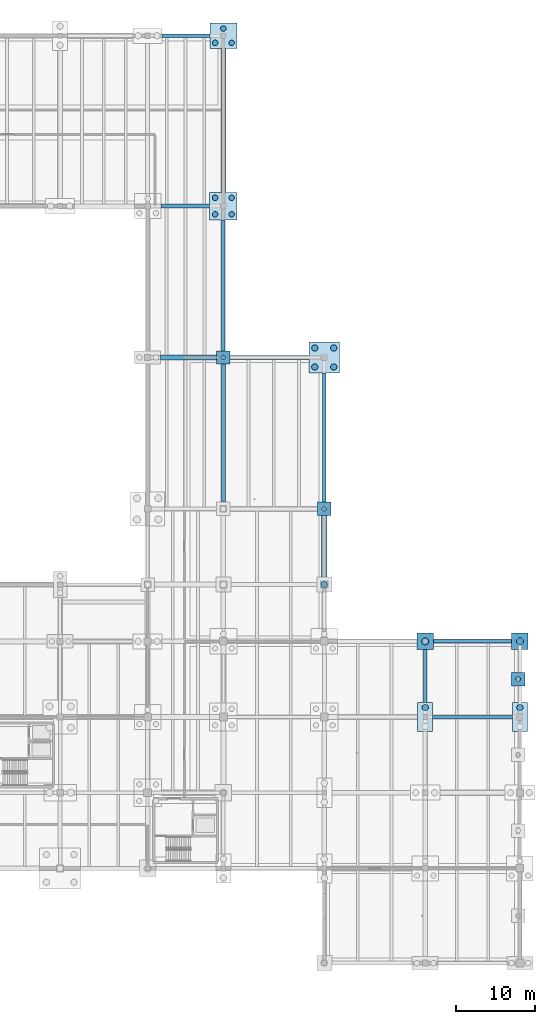
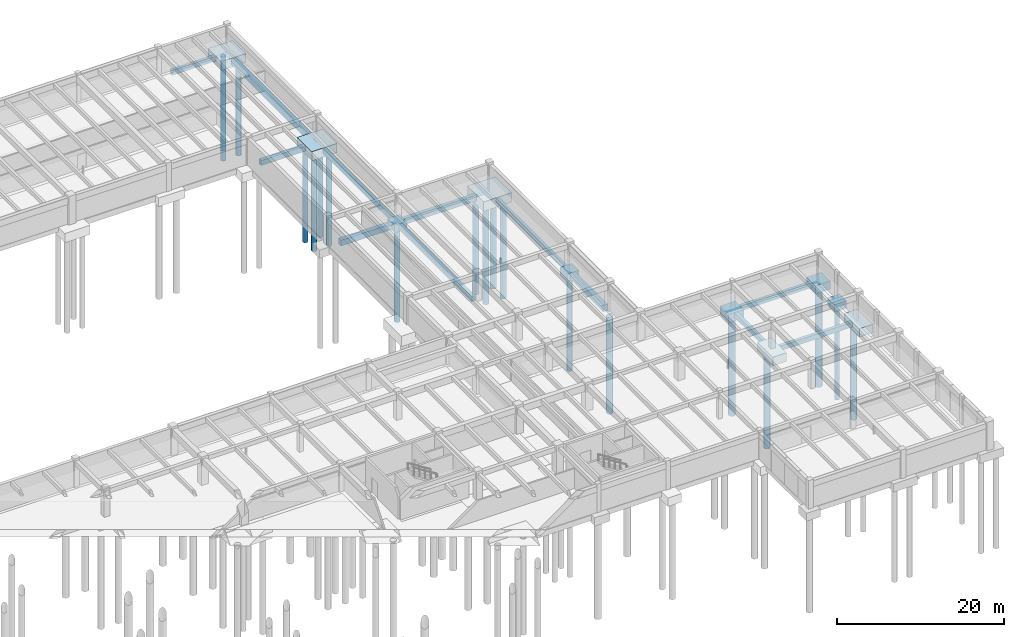
# One storey, part 6 of 41: 22 footings, 19 piles.
"""IFC4 building model written with IfcOpenShell, lengths in metres."""

from ifc_helpers import new_model, si_unit, direction, frame, origin, origin_2d, place, context, subcontext, project, spatial, rectangle, circle, extrude, material, material_profile, profile_set, type_object, element, save


model = new_model("IFC4")

# Units and contexts
model_context = context("Model", 3, precision=1e-05, world=origin(), true_north=direction((0.0, 1.0)))
body_context = subcontext(model_context, "Body", "Model", "MODEL_VIEW")
ifc_project = project(units=[si_unit("LENGTHUNIT", "METRE"), si_unit("AREAUNIT", "SQUARE_METRE"), si_unit("VOLUMEUNIT", "CUBIC_METRE"), si_unit("PLANEANGLEUNIT", "RADIAN"), si_unit("MASSUNIT", "GRAM", prefix="KILO")], contexts=[model_context])

# Site, building, storey
site_placement = place(None, origin())
site = spatial("IfcSite", under=ifc_project, at=site_placement, CompositionType="ELEMENT")
building_placement = place(site_placement, origin())
building = spatial("IfcBuilding", under=site, at=building_placement, Name="Fikremerkos Civic Library", CompositionType="ELEMENT")
storey_placement = place(building_placement, frame((0.0, 0.0, -8.39990234375)))
storey = spatial("IfcBuildingStorey", under=building, at=storey_placement, Name="B02", CompositionType="ELEMENT", Elevation=-8.39990234375)

# Piles
ifc_material_1 = material(Name="Concrete C35/45", Category="concrete")
ifc_material_profile_1 = material_profile(ifc_material_1, circle(Radius=0.300048828125, at=origin_2d()), Name="BORED PILE 600")
ifc_profile_set_1 = profile_set([ifc_material_profile_1], Name="Concrete C35/45")
pile_type_1 = type_object("IfcPileType", Name="Bored concrete pile PL-600 D600", PredefinedType="BORED", material=ifc_profile_set_1)
pile_placement = place(storey_placement, frame((171.780029296875, 36.0, -0.9501953125), z_axis=(0.0, 0.0, -1.0), x_axis=(1.0, 0.0, 0.0)))
element("IfcPile", 1, at=pile_placement, inside=storey, type_object=pile_type_1, Name="Bored pile PL-600 under CAP-PIL-E4", PredefinedType="BORED", context=body_context, shape_type="SweptSolid", body=[
    extrude(circle(Radius=0.300048828125, at=origin_2d()), origin(), (0.0, 0.0, 1.0), 13.60009765625),
])
ifc_material_profile_2 = material_profile(ifc_material_1, circle(Radius=0.35009765625, at=origin_2d()), Name="BORED PILE 700")
ifc_profile_set_2 = profile_set([ifc_material_profile_2], Name="Concrete C35/45")
pile_type_2 = type_object("IfcPileType", Name="Bored concrete pile PL-700 D700", PredefinedType="BORED", material=ifc_profile_set_2)
for number, where, z_axis, x_axis, name in (
    (2, (134.39990234375, 76.800048828125, -1.0), (0.0, 0.0, -1.0), (1.0, 0.0, 0.0), "Bored pile PL-700 under CAP-12-L #1"),
    (3, (133.35009765625, 94.949951171875, -1.25), (0.0, 0.0, -1.0), (1.0, 0.0, 0.0), "Bored pile PL-700 under CAP-12-M #1"),
    (4, (135.449951171875, 94.949951171875, -1.25), (0.0, 0.0, -1.0), (1.0, 0.0, 0.0), "Bored pile PL-700 under CAP-12-M #2"),
    (5, (133.35009765625, 97.050048828125, -1.25), (0.0, 0.0, -1.0), (1.0, 0.0, 0.0), "Bored pile PL-700 under CAP-12-M #3"),
    (6, (135.449951171875, 97.050048828125, -1.25), (0.0, 0.0, -1.0), (1.0, 0.0, 0.0), "Bored pile PL-700 under CAP-12-M #4"),
    (7, (133.35009765625, 116.699951171875, -1.2001953125), (0.0, 0.0, -1.0), (1.0, 0.0, 0.0), "Bored pile PL-700 under CAP-12-N #1"),
    (8, (135.449951171875, 116.699951171875, -1.2001953125), (0.0, 0.0, -1.0), (1.0, 0.0, 0.0), "Bored pile PL-700 under CAP-12-N #2"),
    (9, (134.39990234375, 118.52001953125, -1.2001953125), (0.0, 0.0, -1.0), (1.0, 0.0, 0.0), "Bored pile PL-700 under CAP-12-N #3"),
    (10, (147.199951171875, 57.60009765625, -1.0), (0.0, 0.0, -1.0), (1.0, 0.0, 0.0), "Bored pile PL-700 under CAP-13-K #1"),
):
    element("IfcPile", number, at=place(storey_placement, frame(where, z_axis=z_axis, x_axis=x_axis)), inside=storey, type_object=pile_type_2, Name=name, PredefinedType="BORED", context=body_context, shape_type="SweptSolid", body=[
        extrude(circle(Radius=0.35009765625, at=origin_2d()), origin(), (0.0, 0.0, 1.0), 13.800048828125),
    ])
ifc_material_profile_3 = material_profile(ifc_material_1, circle(Radius=0.39990234375, at=origin_2d()), Name="BORED PILE 800")
ifc_profile_set_3 = profile_set([ifc_material_profile_3], Name="Concrete C35/45")
pile_type_3 = type_object("IfcPileType", Name="Bored concrete pile PL-800 D800", PredefinedType="BORED", material=ifc_profile_set_3)
for number, where, z_axis, x_axis, name in (
    (11, (147.199951171875, 48.0, -1.050048828125), (0.0, 0.0, -1.0), (1.0, 0.0, 0.0), "Bored pile PL-800 under CAP-13-J #1"),
    (12, (146.0, 75.60009765625, -1.300048828125), (0.0, 0.0, -1.0), (1.0, 0.0, 0.0), "Bored pile PL-800 under CAP-13-L #1"),
    (13, (148.39990234375, 75.60009765625, -1.300048828125), (0.0, 0.0, -1.0), (1.0, 0.0, 0.0), "Bored pile PL-800 under CAP-13-L #2"),
    (14, (146.0, 78.0, -1.300048828125), (0.0, 0.0, -1.0), (1.0, 0.0, 0.0), "Bored pile PL-800 under CAP-13-L #3"),
    (15, (148.39990234375, 78.0, -1.300048828125), (0.0, 0.0, -1.0), (1.0, 0.0, 0.0), "Bored pile PL-800 under CAP-13-L #4"),
    (16, (160.0, 32.39990234375, -1.150146484375), (0.0, 0.0, -1.0), (1.0, 0.0, 0.0), "Bored pile PL-800 under CAP-14-G #2"),
    (17, (172.0, 32.39990234375, -1.150146484375), (0.0, 0.0, -1.0), (1.0, 0.0, 0.0), "Bored pile PL-800 under CAP-15-G #2"),
):
    element("IfcPile", number, at=place(storey_placement, frame(where, z_axis=z_axis, x_axis=x_axis)), inside=storey, type_object=pile_type_3, Name=name, PredefinedType="BORED", context=body_context, shape_type="SweptSolid", body=[
        extrude(circle(Radius=0.39990234375, at=origin_2d()), origin(), (0.0, 0.0, 1.0), 14.199951171875),
    ])
ifc_material_profile_4 = material_profile(ifc_material_1, circle(Radius=0.449951171875, at=origin_2d()), Name="BORED PILE 900")
ifc_profile_set_4 = profile_set([ifc_material_profile_4], Name="Concrete C35/45")
pile_type_4 = type_object("IfcPileType", Name="Bored concrete pile PL-900 D900", PredefinedType="BORED", material=ifc_profile_set_4)
for number, where, z_axis, x_axis, name in (
    (18, (160.0, 40.800048828125, -1.10009765625), (0.0, 0.0, -1.0), (1.0, 0.0, 0.0), "Bored pile PL-900 under CAP-14-H #1"),
    (19, (172.0, 40.800048828125, -1.10009765625), (0.0, 0.0, -1.0), (1.0, 0.0, 0.0), "Bored pile PL-900 under CAP-15-H #1"),
):
    element("IfcPile", number, at=place(storey_placement, frame(where, z_axis=z_axis, x_axis=x_axis)), inside=storey, type_object=pile_type_4, Name=name, PredefinedType="BORED", context=body_context, shape_type="SweptSolid", body=[
        extrude(circle(Radius=0.449951171875, at=origin_2d()), origin(), (0.0, 0.0, 1.0), 14.5),
    ])

# Footings
ifc_material_2 = material(Name="Concrete C40/50", Category="concrete")
footing_type_1 = type_object("IfcFootingType", Name="Bored pile cap PC-01 1700x1700x1100", PredefinedType="PILE_CAP", material=ifc_material_2)
for number, where, z_axis, x_axis, name in (
    (20, (134.39990234375, 76.800048828125, -1.10009765625), (0.0, 0.0, 1.0), (1.0, 0.0, 0.0), "Pile cap PC-01 at 12/L"),
    (21, (147.199951171875, 57.60009765625, -1.10009765625), (0.0, 0.0, 1.0), (1.0, 0.0, 0.0), "Pile cap PC-01 at 13/K"),
):
    element("IfcFooting", number, at=place(storey_placement, frame(where, z_axis=z_axis, x_axis=x_axis)), inside=storey, type_object=footing_type_1, Name=name, PredefinedType="PILE_CAP", context=body_context, shape_type="SweptSolid", body=[
        extrude(rectangle(XDim=1.699951171875, YDim=1.699951171875, at=origin_2d()), origin(), (0.0, 0.0, 1.0), 1.10009765625),
    ])
footing_type_2 = type_object("IfcFootingType", Name="Bored pile cap PC-06 1900x3700x1250", PredefinedType="PILE_CAP", material=ifc_material_2)
for number, where, z_axis, x_axis, name in (
    (22, (160.0, 31.199951171875, -1.25), (0.0, 0.0, 1.0), (1.0, 0.0, 0.0), "Pile cap PC-06 at 14/G"),
    (23, (172.0, 31.199951171875, -1.25), (0.0, 0.0, 1.0), (1.0, 0.0, 0.0), "Pile cap PC-06 at 15/G"),
):
    element("IfcFooting", number, at=place(storey_placement, frame(where, z_axis=z_axis, x_axis=x_axis)), inside=storey, type_object=footing_type_2, Name=name, PredefinedType="PILE_CAP", context=body_context, shape_type="SweptSolid", body=[
        extrude(rectangle(XDim=1.89990234375, YDim=3.699951171875, at=origin_2d()), origin(), (0.0, 0.0, 1.0), 1.25),
    ])
footing_type_3 = type_object("IfcFootingType", Name="Bored pile cap PC-08 3400x3200x1300", PredefinedType="PILE_CAP", material=ifc_material_2)
footing_1_placement = place(storey_placement, frame((134.39990234375, 117.60009765625, -1.30029296875), z_axis=(0.0, 0.0, 1.0), x_axis=(1.0, 0.0, 0.0)))
element("IfcFooting", 24, at=footing_1_placement, inside=storey, type_object=footing_type_3, Name="Pile cap PC-08 at 12/N", PredefinedType="PILE_CAP", context=body_context, shape_type="SweptSolid", body=[
    extrude(rectangle(XDim=3.39990234375, YDim=3.199951171875, at=origin_2d()), origin(), (0.0, 0.0, 1.0), 1.300048828125),
])
footing_type_4 = type_object("IfcFootingType", Name="Bored pile cap PC-10 3500x3500x1350", PredefinedType="PILE_CAP", material=ifc_material_2)
footing_2_placement = place(storey_placement, frame((134.39990234375, 96.0, -1.35009765625), z_axis=(0.0, 0.0, 1.0), x_axis=(1.0, 0.0, 0.0)))
element("IfcFooting", 25, at=footing_2_placement, inside=storey, type_object=footing_type_4, Name="Pile cap PC-10 at 12/M", PredefinedType="PILE_CAP", context=body_context, shape_type="SweptSolid", body=[
    extrude(rectangle(XDim=3.5, YDim=3.5, at=origin_2d()), origin(), (0.0, 0.0, 1.0), 1.35009765625),
])
footing_type_5 = type_object("IfcFootingType", Name="Bored pile cap PC-11 3900x3900x1400", PredefinedType="PILE_CAP", material=ifc_material_2)
footing_3_placement = place(storey_placement, frame((147.199951171875, 76.800048828125, -1.400146484375), z_axis=(0.0, 0.0, 1.0), x_axis=(1.0, 0.0, 0.0)))
element("IfcFooting", 26, at=footing_3_placement, inside=storey, type_object=footing_type_5, Name="Pile cap PC-11 at 13/L", PredefinedType="PILE_CAP", context=body_context, shape_type="SweptSolid", body=[
    extrude(rectangle(XDim=3.89990234375, YDim=3.89990234375, at=origin_2d()), origin(), (0.0, 0.0, 1.0), 1.39990234375),
])
footing_type_6 = type_object("IfcFootingType", Name="Bored pile cap PC-17 2100x2100x1200", PredefinedType="PILE_CAP", material=ifc_material_2)
for number, where, z_axis, x_axis, name in (
    (27, (160.0, 40.800048828125, -1.2001953125), (0.0, 0.0, 1.0), (1.0, 0.0, 0.0), "Pile cap PC-17 at 14/H"),
    (28, (172.0, 40.800048828125, -1.2001953125), (0.0, 0.0, 1.0), (1.0, 0.0, 0.0), "Pile cap PC-17 at 15/H"),
):
    element("IfcFooting", number, at=place(storey_placement, frame(where, z_axis=z_axis, x_axis=x_axis)), inside=storey, type_object=footing_type_6, Name=name, PredefinedType="PILE_CAP", context=body_context, shape_type="SweptSolid", body=[
        extrude(rectangle(XDim=2.10009765625, YDim=2.10009765625, at=origin_2d()), origin(), (0.0, 0.0, 1.0), 1.199951171875),
    ])
footing_type_7 = type_object("IfcFootingType", Name="Bored pile cap PC-21 1700x1700x1050", PredefinedType="PILE_CAP", material=ifc_material_2)
footing_4_placement = place(storey_placement, frame((171.780029296875, 36.0, -1.05029296875), z_axis=(0.0, 0.0, 1.0), x_axis=(1.0, 0.0, 0.0)))
element("IfcFooting", 29, at=footing_4_placement, inside=storey, type_object=footing_type_7, Name="Pilaster pile cap PC-21 at E4", PredefinedType="PILE_CAP", context=body_context, shape_type="SweptSolid", body=[
    extrude(rectangle(XDim=1.699951171875, YDim=1.699951171875, at=origin_2d()), origin(), (0.0, 0.0, 1.0), 1.050048828125),
])
footing_type_8 = type_object("IfcFootingType", Name="Foundation tie beam FTB-01 600x850", PredefinedType="FOOTING_BEAM", material=ifc_material_2)
footing_5_placement = place(storey_placement, frame((130.0, 76.800048828125, -0.900146484375), z_axis=(0.0, 0.0, 1.0), x_axis=(1.0, 0.0, 0.0)))
element("IfcFooting", 30, at=footing_5_placement, inside=storey, type_object=footing_type_8, Name="Foundation tie beam FTB-01 on grid L", PredefinedType="FOOTING_BEAM", context=body_context, shape_type="SweptSolid", body=[
    extrude(rectangle(XDim=7.10009765625, YDim=0.60009765625, at=origin_2d()), origin(), (0.0, 0.0, 1.0), 0.85009765625),
])
footing_type_9 = type_object("IfcFootingType", Name="Foundation tie beam FTB-02 550x800", PredefinedType="FOOTING_BEAM", material=ifc_material_2)
footing_6_placement = place(storey_placement, frame((140.25, 76.800048828125, -0.85009765625), z_axis=(0.0, 0.0, 1.0), x_axis=(1.0, 0.0, 0.0)))
element("IfcFooting", 31, at=footing_6_placement, inside=storey, type_object=footing_type_9, Name="Foundation tie beam FTB-02 on grid L", PredefinedType="FOOTING_BEAM", context=body_context, shape_type="SweptSolid", body=[
    extrude(rectangle(XDim=10.0, YDim=0.550048828125, at=origin_2d()), origin(), (0.0, 0.0, 1.0), 0.800048828125),
])
footing_type_10 = type_object("IfcFootingType", Name="Foundation tie beam FTB-03 500x750", PredefinedType="FOOTING_BEAM", material=ifc_material_2)
footing_7_placement = place(storey_placement, frame((129.574951171875, 96.0, -0.800048828125), z_axis=(0.0, 0.0, 1.0), x_axis=(1.0, 0.0, 0.0)))
element("IfcFooting", 32, at=footing_7_placement, inside=storey, type_object=footing_type_10, Name="Foundation tie beam FTB-03 on grid M", PredefinedType="FOOTING_BEAM", context=body_context, shape_type="SweptSolid", body=[
    extrude(rectangle(XDim=6.14990234375, YDim=0.5, at=origin_2d()), origin(), (0.0, 0.0, 1.0), 0.75),
])
footing_8_placement = place(storey_placement, frame((134.39990234375, 67.199951171875, -0.800048828125), z_axis=(0.0, 0.0, 1.0), x_axis=(0.0, 1.0, 0.0)))
element("IfcFooting", 33, at=footing_8_placement, inside=storey, type_object=footing_type_10, Name="Foundation tie beam FTB-03 on grid 12", PredefinedType="FOOTING_BEAM", context=body_context, shape_type="SweptSolid", body=[
    extrude(rectangle(XDim=17.5, YDim=0.5, at=origin_2d()), origin(), (0.0, 0.0, 1.0), 0.75),
])
footing_type_11 = type_object("IfcFootingType", Name="Foundation tie beam FTB-04 450x700", PredefinedType="FOOTING_BEAM", material=ifc_material_2)
footing_9_placement = place(storey_placement, frame((166.0, 31.199951171875, -0.75), z_axis=(0.0, 0.0, 1.0), x_axis=(1.0, 0.0, 0.0)))
element("IfcFooting", 34, at=footing_9_placement, inside=storey, type_object=footing_type_11, Name="Foundation tie beam FTB-04 on grid G", PredefinedType="FOOTING_BEAM", context=body_context, shape_type="SweptSolid", body=[
    extrude(rectangle(XDim=10.10009765625, YDim=0.449951171875, at=origin_2d()), origin(), (0.0, 0.0, 1.0), 0.699951171875),
])
footing_10_placement = place(storey_placement, frame((166.0, 40.800048828125, -0.75), z_axis=(0.0, 0.0, 1.0), x_axis=(1.0, 0.0, 0.0)))
element("IfcFooting", 35, at=footing_10_placement, inside=storey, type_object=footing_type_11, Name="Foundation tie beam FTB-04 on grid H", PredefinedType="FOOTING_BEAM", context=body_context, shape_type="SweptSolid", body=[
    extrude(rectangle(XDim=9.89990234375, YDim=0.449951171875, at=origin_2d()), origin(), (0.0, 0.0, 1.0), 0.699951171875),
])
footing_11_placement = place(storey_placement, frame((129.675048828125, 117.60009765625, -0.75), z_axis=(0.0, 0.0, 1.0), x_axis=(1.0, 0.0, 0.0)))
element("IfcFooting", 36, at=footing_11_placement, inside=storey, type_object=footing_type_11, Name="Foundation tie beam FTB-04 on grid N", PredefinedType="FOOTING_BEAM", context=body_context, shape_type="SweptSolid", body=[
    extrude(rectangle(XDim=6.050048828125, YDim=0.449951171875, at=origin_2d()), origin(), (0.0, 0.0, 1.0), 0.699951171875),
])
footing_12_placement = place(storey_placement, frame((134.39990234375, 85.949951171875, -0.75), z_axis=(0.0, 0.0, 1.0), x_axis=(0.0, 1.0, 0.0)))
element("IfcFooting", 37, at=footing_12_placement, inside=storey, type_object=footing_type_11, Name="Foundation tie beam FTB-04 on grid 12", PredefinedType="FOOTING_BEAM", context=body_context, shape_type="SweptSolid", body=[
    extrude(rectangle(XDim=16.60009765625, YDim=0.449951171875, at=origin_2d()), origin(), (0.0, 0.0, 1.0), 0.699951171875),
])
footing_13_placement = place(storey_placement, frame((160.0, 36.39990234375, -0.75), z_axis=(0.0, 0.0, 1.0), x_axis=(0.0, 1.0, 0.0)))
element("IfcFooting", 38, at=footing_13_placement, inside=storey, type_object=footing_type_11, Name="Foundation tie beam FTB-04 on grid 14", PredefinedType="FOOTING_BEAM", context=body_context, shape_type="SweptSolid", body=[
    extrude(rectangle(XDim=6.699951171875, YDim=0.449951171875, at=origin_2d()), origin(), (0.0, 0.0, 1.0), 0.699951171875),
])
footing_type_12 = type_object("IfcFootingType", Name="Foundation tie beam FTB-05 650x900", PredefinedType="FOOTING_BEAM", material=ifc_material_2)
footing_14_placement = place(storey_placement, frame((134.39990234375, 106.875, -0.949951171875), z_axis=(0.0, 0.0, 1.0), x_axis=(0.0, 1.0, 0.0)))
element("IfcFooting", 39, at=footing_14_placement, inside=storey, type_object=footing_type_12, Name="Foundation tie beam FTB-05 on grid 12", PredefinedType="FOOTING_BEAM", context=body_context, shape_type="SweptSolid", body=[
    extrude(rectangle(XDim=18.25, YDim=0.64990234375, at=origin_2d()), origin(), (0.0, 0.0, 1.0), 0.89990234375),
])
footing_15_placement = place(storey_placement, frame((147.199951171875, 52.85009765625, -0.949951171875), z_axis=(0.0, 0.0, 1.0), x_axis=(0.0, 1.0, 0.0)))
element("IfcFooting", 40, at=footing_15_placement, inside=storey, type_object=footing_type_12, Name="Foundation tie beam FTB-05 on grid 13", PredefinedType="FOOTING_BEAM", context=body_context, shape_type="SweptSolid", body=[
    extrude(rectangle(XDim=7.800048828125, YDim=0.64990234375, at=origin_2d()), origin(), (0.0, 0.0, 1.0), 0.89990234375),
])
footing_type_13 = type_object("IfcFootingType", Name="Foundation tie beam FTB-06 400x650", PredefinedType="FOOTING_BEAM", material=ifc_material_2)
footing_16_placement = place(storey_placement, frame((147.199951171875, 66.64990234375, -0.699951171875), z_axis=(0.0, 0.0, 1.0), x_axis=(0.0, 1.0, 0.0)))
element("IfcFooting", 41, at=footing_16_placement, inside=storey, type_object=footing_type_13, Name="Foundation tie beam FTB-06 on grid 13", PredefinedType="FOOTING_BEAM", context=body_context, shape_type="SweptSolid", body=[
    extrude(rectangle(XDim=16.39990234375, YDim=0.39990234375, at=origin_2d()), origin(), (0.0, 0.0, 1.0), 0.64990234375),
])

save(model, "model.ifc")
